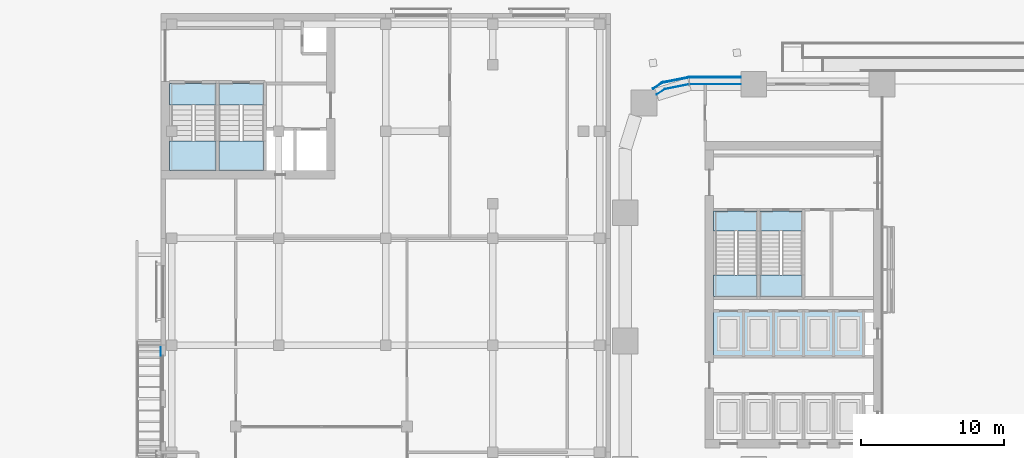
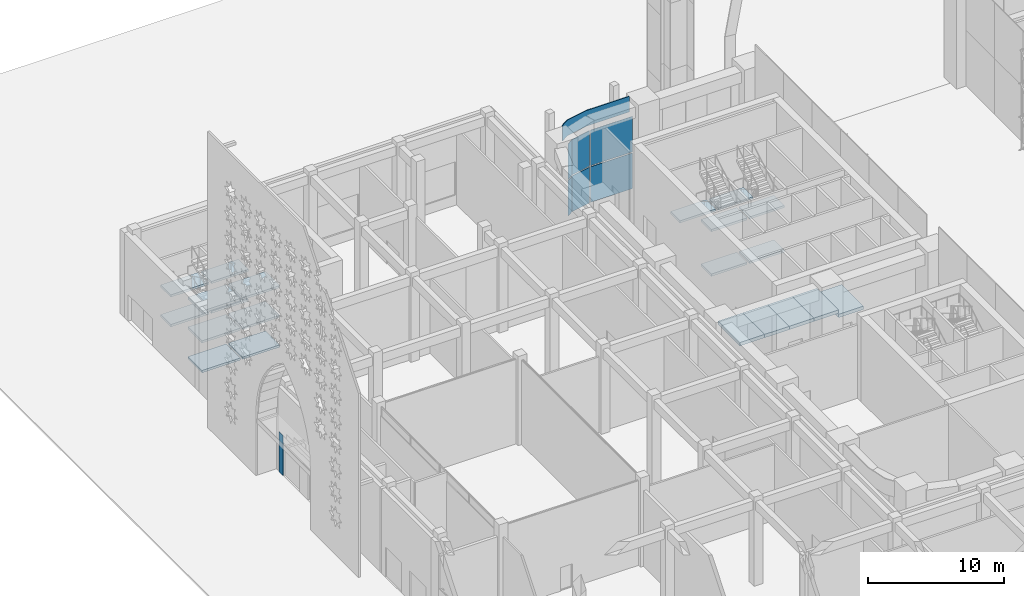
# One storey, part 25 of 64: 21 slabs, 6 plates, 5 elements without a shape of their own.
"""IFC4 building model written with IfcOpenShell, lengths in metres."""

from ifc_helpers import new_model, si_unit, direction, frame, origin, origin_2d, place, context, subcontext, project, spatial, polyline, rectangle, outline, extrude, material, layer, layer_set, type_object, element, aggregate, save


model = new_model("IFC4")

# Units and contexts
model_context = context("Model", 3, precision=1e-05, world=origin(), true_north=direction((0.0, 1.0)))
body_context = subcontext(model_context, "Body", "Model", "MODEL_VIEW")
ifc_project = project(units=[si_unit("LENGTHUNIT", "METRE"), si_unit("AREAUNIT", "SQUARE_METRE"), si_unit("VOLUMEUNIT", "CUBIC_METRE"), si_unit("PLANEANGLEUNIT", "RADIAN"), si_unit("MASSUNIT", "GRAM", prefix="KILO")], contexts=[model_context])

# Site, building, storey
site_placement = place(None, origin())
site = spatial("IfcSite", under=ifc_project, at=site_placement, CompositionType="ELEMENT")
building_placement = place(site_placement, origin())
building = spatial("IfcBuilding", under=site, at=building_placement, Name="Tessera Arch", CompositionType="ELEMENT")
storey_placement = place(building_placement, origin())
storey = spatial("IfcBuildingStorey", under=building, at=storey_placement, Name="L00", CompositionType="ELEMENT", Elevation=0.0)

# Curtain wall, plates
ifc_material_1 = material(Name="CW2 curtain wall")
curtain_wall_type = type_object("IfcCurtainWallType", Name="CW2 curtain wall", PredefinedType="NOTDEFINED", material=ifc_material_1)
curtain_wall_placement = place(storey_placement, origin())
curtain_wall = element("IfcCurtainWall", 1, at=curtain_wall_placement, inside=storey, type_object=curtain_wall_type, Name="CW2 curtain wall N54.0/1 L00", PredefinedType="NOTDEFINED")
ifc_material_2 = material(Name="Clear low-e glass", Category="glass")
ifc_layer_1 = layer(ifc_material_2, 0.028076171875)
ifc_layer_set_1 = layer_set([ifc_layer_1], Name="CW2 glass panel")
plate_type_1 = type_object("IfcPlateType", Name="CW2 glass panel", PredefinedType="CURTAIN_PANEL", material=ifc_layer_set_1)
plate_1_placement = place(storey_placement, frame((6.320068359375, 54.0, 0.0), z_axis=(0.0, 0.0, 1.0), x_axis=(-1.0, 0.0, 0.0)))
plate_1 = element("IfcPlate", 2, at=plate_1_placement, type_object=plate_type_1, Name="CW2 glass panel N54.0/1 1.1", PredefinedType="CURTAIN_PANEL", context=body_context, shape_type="SweptSolid", body=[
    extrude(rectangle(XDim=3.56005859375, YDim=0.028076171875, at=origin_2d()), origin(), (0.0, 0.0, 1.0), 3.195068359375),
])
plate_2_placement = place(storey_placement, origin())
plate_2 = element("IfcPlate", 3, at=plate_2_placement, type_object=plate_type_1, Name="CW2 curved glass panel N54.0/1 2.1", PredefinedType="CURTAIN_PANEL", context=body_context, shape_type="SweptSolid", body=[
    extrude(outline(polyline([(2.783447265625, 53.644287109375), (4.46337890625, 53.978515625), (4.4580078125, 54.005859375), (2.7724609375, 53.670654296875), (2.210205078125, 53.294921875), (2.225830078125, 53.271728515625), (2.783447265625, 53.644287109375)])), origin(), (0.0, 0.0, 1.0), 3.195068359375),
])
plate_3_placement = place(storey_placement, frame((6.320068359375, 54.0, 3.294921875), z_axis=(0.0, 0.0, 1.0), x_axis=(-1.0, 0.0, 0.0)))
plate_3 = element("IfcPlate", 4, at=plate_3_placement, type_object=plate_type_1, Name="CW2 glass panel N54.0/1 1.2", PredefinedType="CURTAIN_PANEL", context=body_context, shape_type="SweptSolid", body=[
    extrude(rectangle(XDim=3.56005859375, YDim=0.028076171875, at=origin_2d()), origin(), (0.0, 0.0, 1.0), 3.195068359375),
])
plate_4_placement = place(storey_placement, frame((0.0, 0.0, 3.294921875)))
plate_4 = element("IfcPlate", 5, at=plate_4_placement, type_object=plate_type_1, Name="CW2 curved glass panel N54.0/1 2.2", PredefinedType="CURTAIN_PANEL", context=body_context, shape_type="SweptSolid", body=[
    extrude(outline(polyline([(2.783447265625, 53.644287109375), (4.46337890625, 53.978515625), (4.4580078125, 54.005859375), (2.7724609375, 53.670654296875), (2.210205078125, 53.294921875), (2.225830078125, 53.271728515625), (2.783447265625, 53.644287109375)])), origin(), (0.0, 0.0, 1.0), 3.195068359375),
])
ifc_material_3 = material(Name="Pale anodised aluminium panel", Category="aluminium")
ifc_layer_2 = layer(ifc_material_3, 0.06005859375)
ifc_layer_set_2 = layer_set([ifc_layer_2], Name="CW2 spandrel panel")
plate_type_2 = type_object("IfcPlateType", Name="CW2 spandrel panel", PredefinedType="CURTAIN_PANEL", material=ifc_layer_set_2)
plate_5_placement = place(storey_placement, frame((0.0, 0.0, 6.590087890625)))
plate_5 = element("IfcPlate", 6, at=plate_5_placement, type_object=plate_type_2, Name="CW2 spandrel panel N54.0/1", PredefinedType="CURTAIN_PANEL", context=body_context, shape_type="SweptSolid", body=[
    extrude(outline(polyline([(4.500732421875, 54.449951171875), (8.10009765625, 54.449951171875), (8.10009765625, 54.510009765625), (4.499267578125, 54.510009765625), (4.449951171875, 54.507568359375), (4.401123046875, 54.500244140625), (2.677734375, 54.157470703125), (2.6298828125, 54.1455078125), (2.582763671875, 54.128662109375), (2.537353515625, 54.107177734375), (2.4951171875, 54.08203125), (1.9345703125, 53.707275390625), (1.968017578125, 53.657470703125), (2.52734375, 54.03125), (2.565673828125, 54.05419921875), (2.605712890625, 54.0732421875), (2.647216796875, 54.088134765625), (2.69091796875, 54.09912109375), (4.411376953125, 54.441162109375), (4.455810546875, 54.44775390625), (4.500732421875, 54.449951171875)])), origin(), (0.0, 0.0, 1.0), 1.409912109375),
])
aggregate(curtain_wall, [plate_1, plate_2, plate_3, plate_4, plate_5])

# Plate
ifc_material_4 = material(Name="Glazed ceramic tile gold", Category="ceramic")
ifc_layer_3 = layer(ifc_material_4, 0.030029296875)
ifc_layer_set_3 = layer_set([ifc_layer_3], Name="Museum tile band gold")
plate_type_3 = type_object("IfcPlateType", Name="Museum tile band gold", PredefinedType="SHEET", material=ifc_layer_set_3)
plate_6_placement = place(storey_placement, frame((-32.56494140625, 35.25, 0.0), z_axis=(0.0, 0.0, 1.0), x_axis=(0.0, 1.0, 0.0)))
element("IfcPlate", 7, at=plate_6_placement, inside=storey, type_object=plate_type_3, Name="Entrance portal pier 2", PredefinedType="SHEET", context=body_context, shape_type="SweptSolid", body=[
    extrude(rectangle(XDim=0.60009765625, YDim=0.030029296875, at=origin_2d()), origin(), (0.0, 0.0, 1.0), 3.60009765625),
])

# Slabs
ifc_material_5 = material(Name="Concrete C40/50", Category="concrete")
ifc_layer_4 = layer(ifc_material_5, 0.300048828125)
ifc_layer_set_4 = layer_set([ifc_layer_4], Name="Pit floor 300")
slab_type_1 = type_object("IfcSlabType", Name="Pit floor 300", PredefinedType="BASESLAB", material=ifc_layer_set_4)
slab_1_placement = place(storey_placement, frame((0.0, 0.0, -2.300048828125)))
element("IfcSlab", 8, at=slab_1_placement, inside=storey, type_object=slab_type_1, Name="HR8 lift pit floor", PredefinedType="BASESLAB", context=body_context, shape_type="SweptSolid", body=[
    extrude(outline(polyline([(14.60009765625, 34.89990234375), (16.699951171875, 34.89990234375), (16.699951171875, 38.10009765625), (14.60009765625, 38.10009765625), (14.60009765625, 34.89990234375)])), origin(), (0.0, 0.0, 1.0), 0.300048828125),
])
slab_2_placement = place(storey_placement, frame((0.0, 0.0, -1.89990234375)))
element("IfcSlab", 9, at=slab_2_placement, inside=storey, type_object=slab_type_1, Name="LR5 lift pit floor", PredefinedType="BASESLAB", context=body_context, shape_type="SweptSolid", body=[
    extrude(outline(polyline([(6.199951171875, 34.89990234375), (8.300048828125, 34.89990234375), (8.300048828125, 38.10009765625), (6.199951171875, 38.10009765625), (6.199951171875, 34.89990234375)])), origin(), (0.0, 0.0, 1.0), 0.2998046875),
])
slab_3_placement = place(storey_placement, frame((0.0, 0.0, -1.89990234375)))
element("IfcSlab", 10, at=slab_3_placement, inside=storey, type_object=slab_type_1, Name="LR6 lift pit floor", PredefinedType="BASESLAB", context=body_context, shape_type="SweptSolid", body=[
    extrude(outline(polyline([(8.300048828125, 34.89990234375), (10.39990234375, 34.89990234375), (10.39990234375, 38.10009765625), (8.300048828125, 38.10009765625), (8.300048828125, 34.89990234375)])), origin(), (0.0, 0.0, 1.0), 0.2998046875),
])
slab_4_placement = place(storey_placement, frame((0.0, 0.0, -1.89990234375)))
element("IfcSlab", 11, at=slab_4_placement, inside=storey, type_object=slab_type_1, Name="LR7 lift pit floor", PredefinedType="BASESLAB", context=body_context, shape_type="SweptSolid", body=[
    extrude(outline(polyline([(10.39990234375, 34.89990234375), (12.5, 34.89990234375), (12.5, 38.10009765625), (10.39990234375, 38.10009765625), (10.39990234375, 34.89990234375)])), origin(), (0.0, 0.0, 1.0), 0.2998046875),
])
slab_5_placement = place(storey_placement, frame((0.0, 0.0, -1.89990234375)))
element("IfcSlab", 12, at=slab_5_placement, inside=storey, type_object=slab_type_1, Name="LR8 lift pit floor", PredefinedType="BASESLAB", context=body_context, shape_type="SweptSolid", body=[
    extrude(outline(polyline([(12.5, 34.89990234375), (14.60009765625, 34.89990234375), (14.60009765625, 38.10009765625), (12.5, 38.10009765625), (12.5, 34.89990234375)])), origin(), (0.0, 0.0, 1.0), 0.2998046875),
])

# Stair, slabs
ifc_material_6 = material(Name="Concrete C40/50", Category="concrete")
stair_type_1 = type_object("IfcStairType", Name="Dogleg stair 1500", PredefinedType="HALF_TURN_STAIR", material=ifc_material_6)
stair_1_placement = place(storey_placement, origin())
stair_1 = element("IfcStair", 13, at=stair_1_placement, inside=storey, type_object=stair_type_1, Name="L00 M1a", PredefinedType="HALF_TURN_STAIR")
ifc_material_7 = material(Name="Concrete C40/50", Category="concrete")
ifc_layer_5 = layer(ifc_material_7, 0.300048828125)
ifc_layer_set_5 = layer_set([ifc_layer_5], Name="Stair landing 300")
slab_type_2 = type_object("IfcSlabType", Name="Stair landing 300", PredefinedType="LANDING", material=ifc_layer_set_5)
slab_6_placement = place(storey_placement, frame((0.0, 0.0, 1.13330078125)))
slab_6 = element("IfcSlab", 14, at=slab_6_placement, type_object=slab_type_2, Name="M1a landing 1", PredefinedType="LANDING", context=body_context, shape_type="SweptSolid", body=[
    extrude(outline(polyline([(-31.949951171875, 50.030029296875), (-31.949951171875, 47.949951171875), (-28.699951171875, 47.949951171875), (-28.699951171875, 50.030029296875), (-31.949951171875, 50.030029296875)])), origin(), (0.0, 0.0, 1.0), 0.199951171875),
])
slab_7_placement = place(storey_placement, frame((0.0, 0.0, 2.466552734375)))
slab_7 = element("IfcSlab", 15, at=slab_7_placement, type_object=slab_type_2, Name="M1a landing 2", PredefinedType="LANDING", context=body_context, shape_type="SweptSolid", body=[
    extrude(outline(polyline([(-31.949951171875, 54.050048828125), (-31.949951171875, 52.550048828125), (-28.699951171875, 52.550048828125), (-28.699951171875, 54.050048828125), (-31.949951171875, 54.050048828125)])), origin(), (0.0, 0.0, 1.0), 0.2001953125),
])
slab_8_placement = place(storey_placement, frame((0.0, 0.0, 3.800048828125)))
slab_8 = element("IfcSlab", 16, at=slab_8_placement, type_object=slab_type_2, Name="M1a landing 3", PredefinedType="LANDING", context=body_context, shape_type="SweptSolid", body=[
    extrude(outline(polyline([(-31.949951171875, 50.030029296875), (-31.949951171875, 47.949951171875), (-28.699951171875, 47.949951171875), (-28.699951171875, 50.030029296875), (-31.949951171875, 50.030029296875)])), origin(), (0.0, 0.0, 1.0), 0.199951171875),
])
slab_9_placement = place(storey_placement, frame((0.0, 0.0, 5.13330078125)))
slab_9 = element("IfcSlab", 17, at=slab_9_placement, type_object=slab_type_2, Name="M1a landing 4", PredefinedType="LANDING", context=body_context, shape_type="SweptSolid", body=[
    extrude(outline(polyline([(-31.949951171875, 54.050048828125), (-31.949951171875, 52.550048828125), (-28.699951171875, 52.550048828125), (-28.699951171875, 54.050048828125), (-31.949951171875, 54.050048828125)])), origin(), (0.0, 0.0, 1.0), 0.199951171875),
])
slab_10_placement = place(storey_placement, frame((0.0, 0.0, 6.466552734375)))
slab_10 = element("IfcSlab", 18, at=slab_10_placement, type_object=slab_type_2, Name="M1a landing 5", PredefinedType="LANDING", context=body_context, shape_type="SweptSolid", body=[
    extrude(outline(polyline([(-31.949951171875, 50.030029296875), (-31.949951171875, 47.949951171875), (-28.699951171875, 47.949951171875), (-28.699951171875, 50.030029296875), (-31.949951171875, 50.030029296875)])), origin(), (0.0, 0.0, 1.0), 0.2001953125),
])
aggregate(stair_1, [slab_6, slab_7, slab_8, slab_9, slab_10])

stair_2_placement = place(storey_placement, origin())
stair_2 = element("IfcStair", 19, at=stair_2_placement, inside=storey, type_object=stair_type_1, Name="L00 M1b", PredefinedType="HALF_TURN_STAIR")
slab_11_placement = place(storey_placement, frame((0.0, 0.0, 1.13330078125)))
slab_11 = element("IfcSlab", 20, at=slab_11_placement, type_object=slab_type_2, Name="M1b landing 1", PredefinedType="LANDING", context=body_context, shape_type="SweptSolid", body=[
    extrude(outline(polyline([(-28.5, 50.030029296875), (-28.5, 47.949951171875), (-25.35009765625, 47.949951171875), (-25.35009765625, 50.030029296875), (-28.5, 50.030029296875)])), origin(), (0.0, 0.0, 1.0), 0.199951171875),
])
slab_12_placement = place(storey_placement, frame((0.0, 0.0, 2.466552734375)))
slab_12 = element("IfcSlab", 21, at=slab_12_placement, type_object=slab_type_2, Name="M1b landing 2", PredefinedType="LANDING", context=body_context, shape_type="SweptSolid", body=[
    extrude(outline(polyline([(-28.5, 54.050048828125), (-28.5, 52.550048828125), (-25.35009765625, 52.550048828125), (-25.35009765625, 54.050048828125), (-28.5, 54.050048828125)])), origin(), (0.0, 0.0, 1.0), 0.2001953125),
])
slab_13_placement = place(storey_placement, frame((0.0, 0.0, 3.800048828125)))
slab_13 = element("IfcSlab", 22, at=slab_13_placement, type_object=slab_type_2, Name="M1b landing 3", PredefinedType="LANDING", context=body_context, shape_type="SweptSolid", body=[
    extrude(outline(polyline([(-28.5, 50.030029296875), (-28.5, 47.949951171875), (-25.35009765625, 47.949951171875), (-25.35009765625, 50.030029296875), (-28.5, 50.030029296875)])), origin(), (0.0, 0.0, 1.0), 0.199951171875),
])
slab_14_placement = place(storey_placement, frame((0.0, 0.0, 5.13330078125)))
slab_14 = element("IfcSlab", 23, at=slab_14_placement, type_object=slab_type_2, Name="M1b landing 4", PredefinedType="LANDING", context=body_context, shape_type="SweptSolid", body=[
    extrude(outline(polyline([(-28.5, 54.050048828125), (-28.5, 52.550048828125), (-25.35009765625, 52.550048828125), (-25.35009765625, 54.050048828125), (-28.5, 54.050048828125)])), origin(), (0.0, 0.0, 1.0), 0.199951171875),
])
slab_15_placement = place(storey_placement, frame((0.0, 0.0, 6.466552734375)))
slab_15 = element("IfcSlab", 24, at=slab_15_placement, type_object=slab_type_2, Name="M1b landing 5", PredefinedType="LANDING", context=body_context, shape_type="SweptSolid", body=[
    extrude(outline(polyline([(-28.5, 50.030029296875), (-28.5, 47.949951171875), (-25.35009765625, 47.949951171875), (-25.35009765625, 50.030029296875), (-28.5, 50.030029296875)])), origin(), (0.0, 0.0, 1.0), 0.2001953125),
])
aggregate(stair_2, [slab_11, slab_12, slab_13, slab_14, slab_15])

ifc_material_8 = material(Name="Concrete C40/50", Category="concrete")
stair_type_2 = type_object("IfcStairType", Name="Dogleg stair 1400", PredefinedType="HALF_TURN_STAIR", material=ifc_material_8)
stair_3_placement = place(storey_placement, origin())
stair_3 = element("IfcStair", 25, at=stair_3_placement, inside=storey, type_object=stair_type_2, Name="L00 S2a", PredefinedType="HALF_TURN_STAIR")
slab_16_placement = place(storey_placement, frame((0.0, 0.0, 1.800048828125)))
slab_16 = element("IfcSlab", 26, at=slab_16_placement, type_object=slab_type_2, Name="S2a landing 1", PredefinedType="LANDING", context=body_context, shape_type="SweptSolid", body=[
    extrude(outline(polyline([(6.199951171875, 40.6201171875), (6.199951171875, 39.10009765625), (9.25, 39.10009765625), (9.25, 40.6201171875), (6.199951171875, 40.6201171875)])), origin(), (0.0, 0.0, 1.0), 0.199951171875),
])
slab_17_placement = place(storey_placement, frame((0.0, 0.0, 3.800048828125)))
slab_17 = element("IfcSlab", 27, at=slab_17_placement, type_object=slab_type_2, Name="S2a landing 2", PredefinedType="LANDING", context=body_context, shape_type="SweptSolid", body=[
    extrude(outline(polyline([(6.199951171875, 45.10009765625), (6.199951171875, 43.699951171875), (9.25, 43.699951171875), (9.25, 45.10009765625), (6.199951171875, 45.10009765625)])), origin(), (0.0, 0.0, 1.0), 0.199951171875),
])
slab_18_placement = place(storey_placement, frame((0.0, 0.0, 5.800048828125)))
slab_18 = element("IfcSlab", 28, at=slab_18_placement, type_object=slab_type_2, Name="S2a landing 3", PredefinedType="LANDING", context=body_context, shape_type="SweptSolid", body=[
    extrude(outline(polyline([(6.199951171875, 40.6201171875), (6.199951171875, 39.10009765625), (9.25, 39.10009765625), (9.25, 40.6201171875), (6.199951171875, 40.6201171875)])), origin(), (0.0, 0.0, 1.0), 0.199951171875),
])
aggregate(stair_3, [slab_16, slab_17, slab_18])

stair_4_placement = place(storey_placement, origin())
stair_4 = element("IfcStair", 29, at=stair_4_placement, inside=storey, type_object=stair_type_2, Name="L00 S2b", PredefinedType="HALF_TURN_STAIR")
slab_19_placement = place(storey_placement, frame((0.0, 0.0, 1.800048828125)))
slab_19 = element("IfcSlab", 30, at=slab_19_placement, type_object=slab_type_2, Name="S2b landing 1", PredefinedType="LANDING", context=body_context, shape_type="SweptSolid", body=[
    extrude(outline(polyline([(9.449951171875, 40.6201171875), (9.449951171875, 39.10009765625), (12.39990234375, 39.10009765625), (12.39990234375, 40.6201171875), (9.449951171875, 40.6201171875)])), origin(), (0.0, 0.0, 1.0), 0.199951171875),
])
slab_20_placement = place(storey_placement, frame((0.0, 0.0, 3.800048828125)))
slab_20 = element("IfcSlab", 31, at=slab_20_placement, type_object=slab_type_2, Name="S2b landing 2", PredefinedType="LANDING", context=body_context, shape_type="SweptSolid", body=[
    extrude(outline(polyline([(9.449951171875, 45.10009765625), (9.449951171875, 43.699951171875), (12.39990234375, 43.699951171875), (12.39990234375, 45.10009765625), (9.449951171875, 45.10009765625)])), origin(), (0.0, 0.0, 1.0), 0.199951171875),
])
slab_21_placement = place(storey_placement, frame((0.0, 0.0, 5.800048828125)))
slab_21 = element("IfcSlab", 32, at=slab_21_placement, type_object=slab_type_2, Name="S2b landing 3", PredefinedType="LANDING", context=body_context, shape_type="SweptSolid", body=[
    extrude(outline(polyline([(9.449951171875, 40.6201171875), (9.449951171875, 39.10009765625), (12.39990234375, 39.10009765625), (12.39990234375, 40.6201171875), (9.449951171875, 40.6201171875)])), origin(), (0.0, 0.0, 1.0), 0.199951171875),
])
aggregate(stair_4, [slab_19, slab_20, slab_21])

save(model, "model.ifc")
